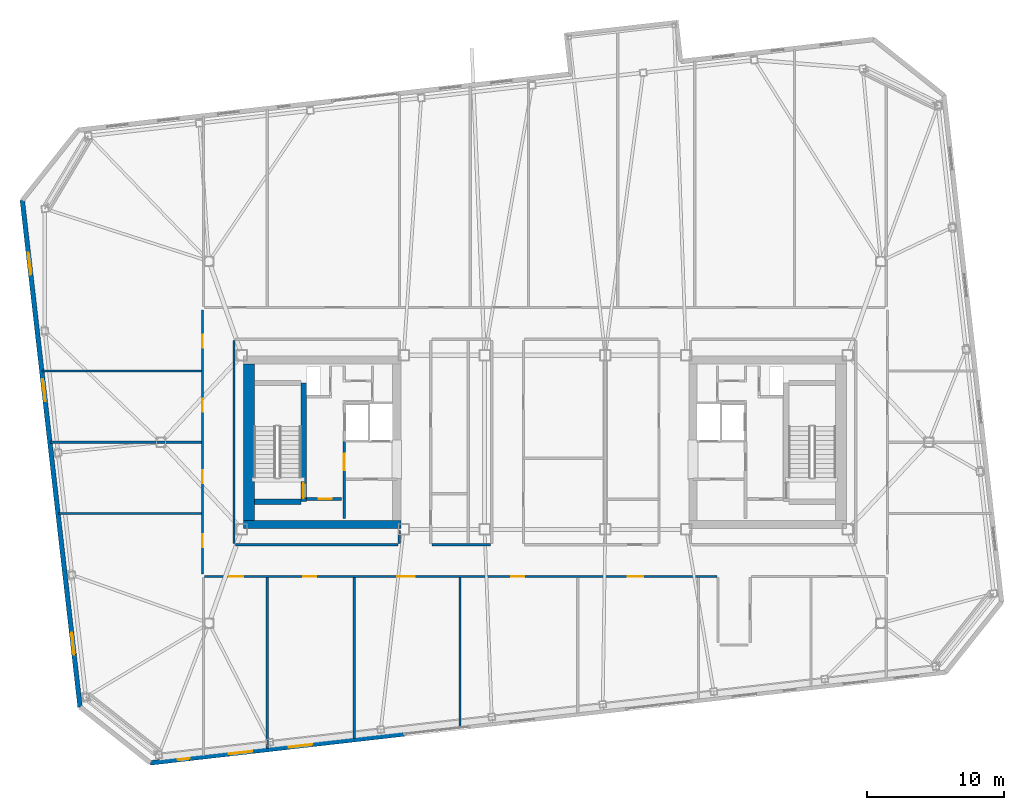
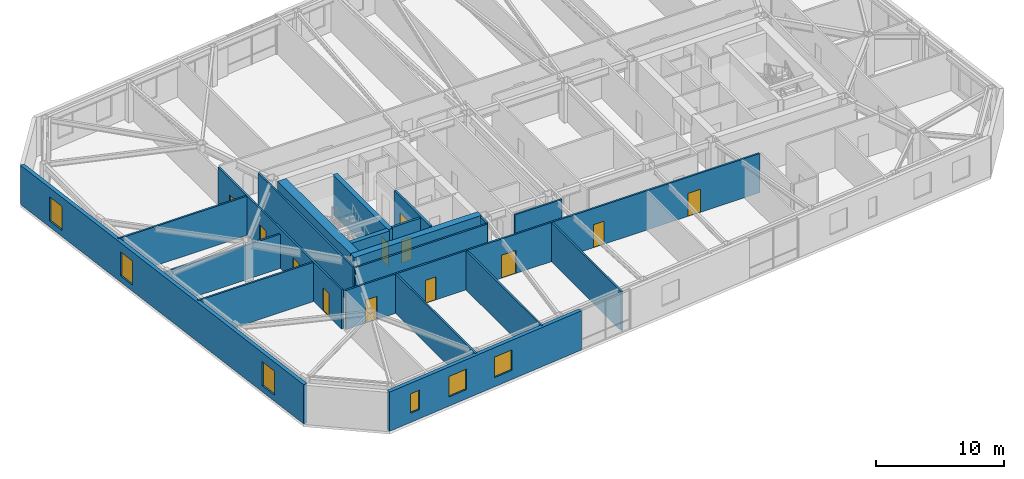
# One storey, part 14 of 21: 20 walls, 12 doors, 6 windows, 18 openings.
"""IFC4 building model written with IfcOpenShell, lengths in metres."""

from ifc_helpers import new_model, si_unit, direction, frame, frame_2d, origin, place, context, subcontext, project, spatial, rectangle, extrude, material, layer, layer_set, type_object, element, fill, save


model = new_model("IFC4")

# Units and contexts
model_context = context("Model", 3, precision=1e-05, world=origin(), true_north=direction((0.0, 1.0)))
body_context = subcontext(model_context, "Body", "Model", "MODEL_VIEW")
ifc_project = project(units=[si_unit("LENGTHUNIT", "METRE"), si_unit("AREAUNIT", "SQUARE_METRE"), si_unit("VOLUMEUNIT", "CUBIC_METRE"), si_unit("PLANEANGLEUNIT", "RADIAN"), si_unit("MASSUNIT", "GRAM", prefix="KILO")], contexts=[model_context])

# Site, building, storey
site_placement = place(None, origin())
site = spatial("IfcSite", under=ifc_project, at=site_placement, CompositionType="ELEMENT")
building_placement = place(site_placement, origin())
building = spatial("IfcBuilding", under=site, at=building_placement, Name="Tavrogorsk Clinical Tower", CompositionType="ELEMENT")
storey_placement = place(building_placement, frame((0.0, 0.0, 247.0)))
storey = spatial("IfcBuildingStorey", under=building, at=storey_placement, Name="L57", CompositionType="ELEMENT", Elevation=247.0)

# Wall, opening, door
ifc_material_1 = material(Name="Concrete B60", Category="concrete")
ifc_layer_1 = layer(ifc_material_1, 0.199951171875)
ifc_layer_set_1 = layer_set([ifc_layer_1], Name="Concrete B60")
wall_type_1 = type_object("IfcWallType", Name="CoreFireWall_200", PredefinedType="SOLIDWALL", material=ifc_layer_set_1)
wall_1_placement = place(storey_placement, frame((-17.3798828125, -4.139892578125, 0.0), z_axis=(0.0, 0.0, 1.0), x_axis=(1.0, 0.0, 0.0)))
wall_1 = element("IfcWall", 1, at=wall_1_placement, inside=storey, type_object=wall_type_1, Name="L57 Core West South Core Room Fire Wall", PredefinedType="SOLIDWALL", context=body_context, shape_type="SweptSolid", body=[
    extrude(rectangle(XDim=2.554931640625, YDim=0.199951171875, at=frame_2d((1.27734375, 0.0))), origin(), (0.0, 0.0, 1.0), 3.739990234375),
])
opening_1_placement = place(wall_1_placement, frame((0.8798828125, 0.0, 0.0)))
opening_1 = element("IfcOpeningElement", 2, at=opening_1_placement, cuts=wall_1, Name="Opening ID-02", PredefinedType="OPENING", context=body_context, shape_type="SweptSolid", body=[
    extrude(rectangle(XDim=0.949951171875, YDim=2.199951171875, at=frame_2d((0.47509765625, 1.10009765625))), frame((0.0, 0.10986328125, 0.0), z_axis=(0.0, -1.0, 0.0), x_axis=(1.0, 0.0, 0.0)), (0.0, 0.0, 1.0), 0.219970703125),
])
ifc_material_2 = material(Name="Laminated timber leaf on aluminium frame", Category="wood")
door_type_1 = type_object("IfcDoorType", Name="InteriorDoor_ID02_950", OperationType="NOTDEFINED", PredefinedType="DOOR", material=ifc_material_2)
door_1_placement = place(opening_1_placement, origin())
door_1 = element("IfcDoor", 3, at=door_1_placement, inside=storey, type_object=door_type_1, Name="L57 Core West South Core Room Door", OperationType="SINGLE_SWING_RIGHT", OverallHeight=2.199951171875, OverallWidth=0.949951171875, PredefinedType="DOOR", context=body_context, shape_type="SweptSolid", body=[
    extrude(rectangle(XDim=0.949951171875, YDim=2.199951171875, at=frame_2d((0.47509765625, 1.10009765625))), frame((0.0, 0.02490234375, 0.0), z_axis=(0.0, -1.0, 0.0), x_axis=(1.0, 0.0, 0.0)), (0.0, 0.0, 1.0), 0.050048828125),
])
fill(opening_1, door_1)

wall_2_placement = place(storey_placement, frame((-14.639892578125, -5.56005859375, 0.0), z_axis=(0.0, 0.0, 1.0), x_axis=(0.0, 1.0, 0.0)))
wall_2 = element("IfcWall", 4, at=wall_2_placement, inside=storey, type_object=wall_type_1, Name="L57 Core West Firefighting Lobby Fire Wall", PredefinedType="SOLIDWALL", context=body_context, shape_type="SweptSolid", body=[
    extrude(rectangle(XDim=5.60009765625, YDim=0.199951171875, at=frame_2d((2.800048828125, 0.0))), origin(), (0.0, 0.0, 1.0), 3.739990234375),
])
opening_2_placement = place(wall_2_placement, frame((3.510009765625, 0.0, 0.0)))
opening_2 = element("IfcOpeningElement", 5, at=opening_2_placement, cuts=wall_2, Name="Opening FD-01", PredefinedType="OPENING", context=body_context, shape_type="SweptSolid", body=[
    extrude(rectangle(XDim=1.199951171875, YDim=2.199951171875, at=frame_2d((0.60009765625, 1.10009765625))), frame((0.0, 0.10986328125, 0.0), z_axis=(0.0, -1.0, 0.0), x_axis=(1.0, 0.0, 0.0)), (0.0, 0.0, 1.0), 0.219970703125),
])
ifc_material_3 = material(Name="Galvanised steel fire-rated door assembly", Category="steel")
door_type_2 = type_object("IfcDoorType", Name="FireDoor_FD01_1200", OperationType="NOTDEFINED", PredefinedType="DOOR", material=ifc_material_3)
door_2_placement = place(opening_2_placement, origin())
door_2 = element("IfcDoor", 6, at=door_2_placement, inside=storey, type_object=door_type_2, Name="L57 Core West Firefighting Lobby Entry Door", OperationType="SINGLE_SWING_RIGHT", OverallHeight=2.199951171875, OverallWidth=1.199951171875, PredefinedType="DOOR", context=body_context, shape_type="SweptSolid", body=[
    extrude(rectangle(XDim=1.199951171875, YDim=2.199951171875, at=frame_2d((0.60009765625, 1.10009765625))), frame((0.0, 0.02490234375, 0.0), z_axis=(0.0, -1.0, 0.0), x_axis=(1.0, 0.0, 0.0)), (0.0, 0.0, 1.0), 0.050048828125),
])
fill(opening_2, door_2)

# Wall, openings, doors
ifc_material_4 = material(Name="Lightweight concrete blockwork B15", Category="masonry")
ifc_layer_2 = layer(ifc_material_4, 0.159912109375)
ifc_layer_set_2 = layer_set([ifc_layer_2], Name="Lightweight concrete blockwork B15")
wall_type_2 = type_object("IfcWallType", Name="PartitionWall_160", PredefinedType="PARTITIONING", material=ifc_layer_set_2)
wall_3_placement = place(storey_placement, frame((-24.97998046875, -9.614990234375, 0.0), z_axis=(0.0, 0.0, 1.0), x_axis=(0.0, 1.0, 0.0)))
wall_3 = element("IfcWall", 7, at=wall_3_placement, inside=storey, type_object=wall_type_2, Name="L57 Corridor Partition 01", PredefinedType="PARTITIONING", context=body_context, shape_type="SweptSolid", body=[
    extrude(rectangle(XDim=19.280029296875, YDim=0.159912109375, at=frame_2d((9.64013671875, 0.0))), origin(), (0.0, 0.0, 1.0), 3.739990234375),
])
opening_3_placement = place(wall_3_placement, frame((1.968994140625, 0.0, 0.0)))
opening_3 = element("IfcOpeningElement", 8, at=opening_3_placement, cuts=wall_3, Name="Opening ID-02", PredefinedType="OPENING", context=body_context, shape_type="SweptSolid", body=[
    extrude(rectangle(XDim=0.949951171875, YDim=2.199951171875, at=frame_2d((0.47509765625, 1.10009765625))), frame((0.0, 0.08984375, 0.0), z_axis=(0.0, -1.0, 0.0), x_axis=(1.0, 0.0, 0.0)), (0.0, 0.0, 1.0), 0.179931640625),
])
opening_4_placement = place(wall_3_placement, frame((6.625, 0.0, 0.0)))
opening_4 = element("IfcOpeningElement", 9, at=opening_4_placement, cuts=wall_3, Name="Opening ID-02", PredefinedType="OPENING", context=body_context, shape_type="SweptSolid", body=[
    extrude(rectangle(XDim=0.949951171875, YDim=2.199951171875, at=frame_2d((0.47509765625, 1.10009765625))), frame((0.0, 0.08984375, 0.0), z_axis=(0.0, -1.0, 0.0), x_axis=(1.0, 0.0, 0.0)), (0.0, 0.0, 1.0), 0.179931640625),
])
opening_5_placement = place(wall_3_placement, frame((11.824951171875, 0.0, 0.0)))
opening_5 = element("IfcOpeningElement", 10, at=opening_5_placement, cuts=wall_3, Name="Opening ID-02", PredefinedType="OPENING", context=body_context, shape_type="SweptSolid", body=[
    extrude(rectangle(XDim=0.949951171875, YDim=2.199951171875, at=frame_2d((0.47509765625, 1.10009765625))), frame((0.0, 0.08984375, 0.0), z_axis=(0.0, -1.0, 0.0), x_axis=(1.0, 0.0, 0.0)), (0.0, 0.0, 1.0), 0.179931640625),
])
opening_6_placement = place(wall_3_placement, frame((16.505859375, 0.0, 0.0)))
opening_6 = element("IfcOpeningElement", 11, at=opening_6_placement, cuts=wall_3, Name="Opening ID-02", PredefinedType="OPENING", context=body_context, shape_type="SweptSolid", body=[
    extrude(rectangle(XDim=0.949951171875, YDim=2.199951171875, at=frame_2d((0.47509765625, 1.10009765625))), frame((0.0, 0.08984375, 0.0), z_axis=(0.0, -1.0, 0.0), x_axis=(1.0, 0.0, 0.0)), (0.0, 0.0, 1.0), 0.179931640625),
])
door_3_placement = place(opening_3_placement, origin())
door_3 = element("IfcDoor", 12, at=door_3_placement, inside=storey, type_object=door_type_1, Name="L57 W Solarium Day Room & Lounge 1 Door", OperationType="SINGLE_SWING_RIGHT", OverallHeight=2.199951171875, OverallWidth=0.949951171875, PredefinedType="DOOR", context=body_context, shape_type="SweptSolid", body=[
    extrude(rectangle(XDim=0.949951171875, YDim=2.199951171875, at=frame_2d((0.47509765625, 1.10009765625))), frame((0.0, 0.02490234375, 0.0), z_axis=(0.0, -1.0, 0.0), x_axis=(1.0, 0.0, 0.0)), (0.0, 0.0, 1.0), 0.050048828125),
])
fill(opening_3, door_3)
door_4_placement = place(opening_4_placement, origin())
door_4 = element("IfcDoor", 13, at=door_4_placement, inside=storey, type_object=door_type_1, Name="L57 W Rehabilitation Therapy Suite 2 Door", OperationType="SINGLE_SWING_LEFT", OverallHeight=2.199951171875, OverallWidth=0.949951171875, PredefinedType="DOOR", context=body_context, shape_type="SweptSolid", body=[
    extrude(rectangle(XDim=0.949951171875, YDim=2.199951171875, at=frame_2d((0.47509765625, 1.10009765625))), frame((0.0, 0.02490234375, 0.0), z_axis=(0.0, -1.0, 0.0), x_axis=(1.0, 0.0, 0.0)), (0.0, 0.0, 1.0), 0.050048828125),
])
fill(opening_4, door_4)
door_5_placement = place(opening_5_placement, origin())
door_5 = element("IfcDoor", 14, at=door_5_placement, inside=storey, type_object=door_type_1, Name="L57 W Sub-Acute Observation Suite 3 Door", OperationType="SINGLE_SWING_RIGHT", OverallHeight=2.199951171875, OverallWidth=0.949951171875, PredefinedType="DOOR", context=body_context, shape_type="SweptSolid", body=[
    extrude(rectangle(XDim=0.949951171875, YDim=2.199951171875, at=frame_2d((0.47509765625, 1.10009765625))), frame((0.0, 0.02490234375, 0.0), z_axis=(0.0, -1.0, 0.0), x_axis=(1.0, 0.0, 0.0)), (0.0, 0.0, 1.0), 0.050048828125),
])
fill(opening_5, door_5)
door_6_placement = place(opening_6_placement, origin())
door_6 = element("IfcDoor", 15, at=door_6_placement, inside=storey, type_object=door_type_1, Name="L57 W Family Consultation Lounge 4 Door", OperationType="SINGLE_SWING_LEFT", OverallHeight=2.199951171875, OverallWidth=0.949951171875, PredefinedType="DOOR", context=body_context, shape_type="SweptSolid", body=[
    extrude(rectangle(XDim=0.949951171875, YDim=2.199951171875, at=frame_2d((0.47509765625, 1.10009765625))), frame((0.0, 0.02490234375, 0.0), z_axis=(0.0, -1.0, 0.0), x_axis=(1.0, 0.0, 0.0)), (0.0, 0.0, 1.0), 0.050048828125),
])
fill(opening_6, door_6)

wall_4_placement = place(storey_placement, frame((12.534912109375, -9.780029296875, 0.0), z_axis=(0.0, 0.0, 1.0), x_axis=(-1.0, 0.0, 0.0)))
wall_4 = element("IfcWall", 16, at=wall_4_placement, inside=storey, type_object=wall_type_2, Name="L57 Corridor Partition 08", PredefinedType="PARTITIONING", context=body_context, shape_type="SweptSolid", body=[
    extrude(rectangle(XDim=37.349853515625, YDim=0.159912109375, at=frame_2d((18.6748046875, 0.0))), origin(), (0.0, 0.0, 1.0), 3.739990234375),
])
opening_7_placement = place(wall_4_placement, frame((34.52587890625, 0.0, 0.0)))
opening_7 = element("IfcOpeningElement", 17, at=opening_7_placement, cuts=wall_4, Name="Opening ID-04", PredefinedType="OPENING", context=body_context, shape_type="SweptSolid", body=[
    extrude(rectangle(XDim=1.050048828125, YDim=2.199951171875, at=frame_2d((0.52490234375, 1.10009765625))), frame((0.0, 0.08984375, 0.0), z_axis=(0.0, -1.0, 0.0), x_axis=(1.0, 0.0, 0.0)), (0.0, 0.0, 1.0), 0.179931640625),
])
opening_8_placement = place(wall_4_placement, frame((29.219970703125, 0.0, 0.0)))
opening_8 = element("IfcOpeningElement", 18, at=opening_8_placement, cuts=wall_4, Name="Opening ID-02", PredefinedType="OPENING", context=body_context, shape_type="SweptSolid", body=[
    extrude(rectangle(XDim=0.949951171875, YDim=2.199951171875, at=frame_2d((0.47509765625, 1.10009765625))), frame((0.0, 0.08984375, 0.0), z_axis=(0.0, -1.0, 0.0), x_axis=(1.0, 0.0, 0.0)), (0.0, 0.0, 1.0), 0.179931640625),
])
opening_9_placement = place(wall_4_placement, frame((22.02001953125, 0.0, 0.0)))
opening_9 = element("IfcOpeningElement", 19, at=opening_9_placement, cuts=wall_4, Name="Opening ID-01", PredefinedType="OPENING", context=body_context, shape_type="SweptSolid", body=[
    extrude(rectangle(XDim=1.300048828125, YDim=2.199951171875, at=frame_2d((0.64990234375, 1.10009765625))), frame((0.0, 0.08984375, 0.0), z_axis=(0.0, -1.0, 0.0), x_axis=(1.0, 0.0, 0.0)), (0.0, 0.0, 1.0), 0.179931640625),
])
opening_10_placement = place(wall_4_placement, frame((14.044921875, 0.0, 0.0)))
opening_10 = element("IfcOpeningElement", 20, at=opening_10_placement, cuts=wall_4, Name="Opening ID-02", PredefinedType="OPENING", context=body_context, shape_type="SweptSolid", body=[
    extrude(rectangle(XDim=0.949951171875, YDim=2.199951171875, at=frame_2d((0.47509765625, 1.10009765625))), frame((0.0, 0.08984375, 0.0), z_axis=(0.0, -1.0, 0.0), x_axis=(1.0, 0.0, 0.0)), (0.0, 0.0, 1.0), 0.179931640625),
])
opening_11_placement = place(wall_4_placement, frame((5.344970703125, 0.0, 0.0)))
opening_11 = element("IfcOpeningElement", 21, at=opening_11_placement, cuts=wall_4, Name="Opening ID-06", PredefinedType="OPENING", context=body_context, shape_type="SweptSolid", body=[
    extrude(rectangle(XDim=1.14990234375, YDim=2.199951171875, at=frame_2d((0.574951171875, 1.10009765625))), frame((0.0, 0.08984375, 0.0), z_axis=(0.0, -1.0, 0.0), x_axis=(1.0, 0.0, 0.0)), (0.0, 0.0, 1.0), 0.179931640625),
])
ifc_material_5 = material(Name="Antibacterial HPL consultation door on aluminium frame", Category="aluminium")
door_type_3 = type_object("IfcDoorType", Name="ConsultDoor_ID04_1050", OperationType="NOTDEFINED", PredefinedType="DOOR", material=ifc_material_5)
door_7_placement = place(opening_7_placement, origin())
door_7 = element("IfcDoor", 22, at=door_7_placement, inside=storey, type_object=door_type_3, Name="L57 South Cardiology Diagnostics Room 01 Door", OperationType="SINGLE_SWING_LEFT", OverallHeight=2.199951171875, OverallWidth=1.050048828125, PredefinedType="DOOR", context=body_context, shape_type="SweptSolid", body=[
    extrude(rectangle(XDim=1.050048828125, YDim=2.199951171875, at=frame_2d((0.52490234375, 1.10009765625))), frame((0.0, 0.02490234375, 0.0), z_axis=(0.0, -1.0, 0.0), x_axis=(1.0, 0.0, 0.0)), (0.0, 0.0, 1.0), 0.050048828125),
])
fill(opening_7, door_7)
door_8_placement = place(opening_8_placement, origin())
door_8 = element("IfcDoor", 23, at=door_8_placement, inside=storey, type_object=door_type_1, Name="L57 South Attending Physician Office 02 Door", OperationType="SINGLE_SWING_RIGHT", OverallHeight=2.199951171875, OverallWidth=0.949951171875, PredefinedType="DOOR", context=body_context, shape_type="SweptSolid", body=[
    extrude(rectangle(XDim=0.949951171875, YDim=2.199951171875, at=frame_2d((0.47509765625, 1.10009765625))), frame((0.0, 0.02490234375, 0.0), z_axis=(0.0, -1.0, 0.0), x_axis=(1.0, 0.0, 0.0)), (0.0, 0.0, 1.0), 0.050048828125),
])
fill(opening_8, door_8)
door_9_placement = place(opening_10_placement, origin())
door_9 = element("IfcDoor", 24, at=door_9_placement, inside=storey, type_object=door_type_1, Name="L57 South Clean Medication & Prep Room 04 Door", OperationType="SINGLE_SWING_RIGHT", OverallHeight=2.199951171875, OverallWidth=0.949951171875, PredefinedType="DOOR", context=body_context, shape_type="SweptSolid", body=[
    extrude(rectangle(XDim=0.949951171875, YDim=2.199951171875, at=frame_2d((0.47509765625, 1.10009765625))), frame((0.0, 0.02490234375, 0.0), z_axis=(0.0, -1.0, 0.0), x_axis=(1.0, 0.0, 0.0)), (0.0, 0.0, 1.0), 0.050048828125),
])
fill(opening_10, door_9)
ifc_material_6 = material(Name="Antibacterial HPL procedure door on aluminium frame", Category="aluminium")
door_type_4 = type_object("IfcDoorType", Name="LabDoor_ID06_1150", OperationType="NOTDEFINED", PredefinedType="DOOR", material=ifc_material_6)
door_10_placement = place(opening_11_placement, origin())
door_10 = element("IfcDoor", 25, at=door_10_placement, inside=storey, type_object=door_type_4, Name="L57 South Outpatient Procedure Suite 05 Door", OperationType="SINGLE_SWING_LEFT", OverallHeight=2.199951171875, OverallWidth=1.14990234375, PredefinedType="DOOR", context=body_context, shape_type="SweptSolid", body=[
    extrude(rectangle(XDim=1.14990234375, YDim=2.199951171875, at=frame_2d((0.574951171875, 1.10009765625))), frame((0.0, 0.02490234375, 0.0), z_axis=(0.0, -1.0, 0.0), x_axis=(1.0, 0.0, 0.0)), (0.0, 0.0, 1.0), 0.050048828125),
])
fill(opening_11, door_10)
ifc_material_7 = material(Name="Antibacterial HPL medical leaf on aluminium frame", Category="aluminium")
door_type_5 = type_object("IfcDoorType", Name="WardBedDoor_ID01_1300", OperationType="NOTDEFINED", PredefinedType="DOOR", material=ifc_material_7)
door_11_placement = place(opening_9_placement, origin())
door_11 = element("IfcDoor", 26, at=door_11_placement, inside=storey, type_object=door_type_5, Name="L57 South Acute Medical Ward 03 Door", OperationType="SINGLE_SWING_LEFT", OverallHeight=2.199951171875, OverallWidth=1.300048828125, PredefinedType="DOOR", context=body_context, shape_type="SweptSolid", body=[
    extrude(rectangle(XDim=1.300048828125, YDim=2.199951171875, at=frame_2d((0.64990234375, 1.10009765625))), frame((0.0, 0.02490234375, 0.0), z_axis=(0.0, -1.0, 0.0), x_axis=(1.0, 0.0, 0.0)), (0.0, 0.0, 1.0), 0.050048828125),
])
fill(opening_9, door_11)

# Walls
wall_5_placement = place(storey_placement, frame((-8.235107421875, -7.469970703125, 0.0), z_axis=(0.0, 0.0, 1.0), x_axis=(1.0, 0.0, 0.0)))
element("IfcWall", 27, at=wall_5_placement, inside=storey, type_object=wall_type_2, Name="L57 Corridor Partition 21", PredefinedType="PARTITIONING", context=body_context, shape_type="SweptSolid", body=[
    extrude(rectangle(XDim=4.27001953125, YDim=0.159912109375, at=frame_2d((2.135009765625, 0.0))), origin(), (0.0, 0.0, 1.0), 3.739990234375),
])
wall_6_placement = place(storey_placement, frame((-10.6298828125, -7.385009765625, 0.0), z_axis=(0.0, 0.0, 1.0), x_axis=(0.0, 1.0, 0.0)))
element("IfcWall", 28, at=wall_6_placement, inside=storey, type_object=wall_type_2, Name="L57 Corridor Partition 22", PredefinedType="PARTITIONING", context=body_context, shape_type="SweptSolid", body=[
    extrude(rectangle(XDim=0.965087890625, YDim=0.159912109375, at=frame_2d((0.482421875, 0.0))), origin(), (0.0, 0.0, 1.0), 3.739990234375),
])
wall_7_placement = place(storey_placement, frame((-22.669921875, 7.43505859375, 0.0), z_axis=(0.0, 0.0, 1.0), x_axis=(0.0, -1.0, 0.0)))
element("IfcWall", 29, at=wall_7_placement, inside=storey, type_object=wall_type_2, Name="L57 Corridor Partition 25", PredefinedType="PARTITIONING", context=body_context, shape_type="SweptSolid", body=[
    extrude(rectangle(XDim=14.820068359375, YDim=0.159912109375, at=frame_2d((7.41015625, 0.0))), origin(), (0.0, 0.0, 1.0), 3.739990234375),
])
wall_8_placement = place(storey_placement, frame((-22.5849609375, -7.469970703125, 0.0), z_axis=(0.0, 0.0, 1.0), x_axis=(1.0, 0.0, 0.0)))
element("IfcWall", 30, at=wall_8_placement, inside=storey, type_object=wall_type_2, Name="L57 Corridor Partition 26", PredefinedType="PARTITIONING", context=body_context, shape_type="SweptSolid", body=[
    extrude(rectangle(XDim=11.869873046875, YDim=0.159912109375, at=frame_2d((5.93505859375, 0.0))), origin(), (0.0, 0.0, 1.0), 3.739990234375),
])
wall_9_placement = place(storey_placement, frame((-20.25, -22.343505859375, 0.0), z_axis=(0.0, 0.0, 1.0), x_axis=(0.0, 1.0, 0.0)))
element("IfcWall", 31, at=wall_9_placement, inside=storey, type_object=wall_type_2, Name="L57 South Room Partition 1", PredefinedType="PARTITIONING", context=body_context, shape_type="SweptSolid", body=[
    extrude(rectangle(XDim=12.478515625, YDim=0.159912109375, at=frame_2d((6.2392578125, 0.0))), origin(), (0.0, 0.0, 1.0), 3.739990234375),
])
wall_10_placement = place(storey_placement, frame((-13.89990234375, -21.6201171875, 0.0), z_axis=(0.0, 0.0, 1.0), x_axis=(0.0, 1.0, 0.0)))
element("IfcWall", 32, at=wall_10_placement, inside=storey, type_object=wall_type_2, Name="L57 South Room Partition 2", PredefinedType="PARTITIONING", context=body_context, shape_type="SweptSolid", body=[
    extrude(rectangle(XDim=11.755126953125, YDim=0.159912109375, at=frame_2d((5.87744140625, 0.0))), origin(), (0.0, 0.0, 1.0), 3.739990234375),
])
wall_11_placement = place(storey_placement, frame((-6.199951171875, -20.742919921875, 0.0), z_axis=(0.0, 0.0, 1.0), x_axis=(0.0, 1.0, 0.0)))
element("IfcWall", 33, at=wall_11_placement, inside=storey, type_object=wall_type_2, Name="L57 South Room Partition 3", PredefinedType="PARTITIONING", context=body_context, shape_type="SweptSolid", body=[
    extrude(rectangle(XDim=10.8779296875, YDim=0.159912109375, at=frame_2d((5.43896484375, 0.0))), origin(), (0.0, 0.0, 1.0), 3.739990234375),
])
wall_12_placement = place(storey_placement, frame((-35.494384765625, -5.199951171875, 0.0), z_axis=(0.0, 0.0, 1.0), x_axis=(1.0, 0.0, 0.0)))
element("IfcWall", 34, at=wall_12_placement, inside=storey, type_object=wall_type_2, Name="L57 W Wing Divider 1", PredefinedType="PARTITIONING", context=body_context, shape_type="SweptSolid", body=[
    extrude(rectangle(XDim=10.429443359375, YDim=0.159912109375, at=frame_2d((5.21484375, 0.0))), origin(), (0.0, 0.0, 1.0), 3.739990234375),
])
wall_13_placement = place(storey_placement, frame((-36.0869140625, 0.0, 0.0), z_axis=(0.0, 0.0, 1.0), x_axis=(1.0, 0.0, 0.0)))
element("IfcWall", 35, at=wall_13_placement, inside=storey, type_object=wall_type_2, Name="L57 W Wing Divider 2", PredefinedType="PARTITIONING", context=body_context, shape_type="SweptSolid", body=[
    extrude(rectangle(XDim=11.02197265625, YDim=0.159912109375, at=frame_2d((5.510986328125, 0.0))), origin(), (0.0, 0.0, 1.0), 3.284912109375),
])
wall_14_placement = place(storey_placement, frame((-36.679443359375, 5.199951171875, 0.0), z_axis=(0.0, 0.0, 1.0), x_axis=(1.0, 0.0, 0.0)))
element("IfcWall", 36, at=wall_14_placement, inside=storey, type_object=wall_type_2, Name="L57 W Wing Divider 3", PredefinedType="PARTITIONING", context=body_context, shape_type="SweptSolid", body=[
    extrude(rectangle(XDim=11.614501953125, YDim=0.159912109375, at=frame_2d((5.80712890625, 0.0))), origin(), (0.0, 0.0, 1.0), 3.739990234375),
])

# Wall, openings, windows
ifc_material_8 = material(Name="Precast concrete B45 with limestone cladding", Category="masonry")
ifc_layer_3 = layer(ifc_material_8, 0.340087890625)
ifc_layer_set_3 = layer_set([ifc_layer_3], Name="Precast concrete B45 with limestone cladding")
wall_type_3 = type_object("IfcWallType", Name="PrecastLimestoneWall_340", PredefinedType="STANDARD", material=ifc_layer_set_3)
wall_15_placement = place(storey_placement, frame((-28.78271484375, -23.38623046875, 0.0), z_axis=(0.0, 0.0, 1.0), x_axis=(0.993572271362, 0.113199565282, 0.0)))
wall_15 = element("IfcWall", 37, at=wall_15_placement, inside=storey, type_object=wall_type_3, Name="L57 S Limestone Facade Wall 1", PredefinedType="STANDARD", context=body_context, shape_type="SweptSolid", body=[
    extrude(rectangle(XDim=18.6513671875, YDim=0.340087890625, at=frame_2d((9.32568359375, 0.0))), origin(), (0.0, 0.0, 1.0), 3.739990234375),
])
opening_12_placement = place(wall_15_placement, frame((2.030029296875, 0.0, 0.8798828125)))
opening_12 = element("IfcOpeningElement", 38, at=opening_12_placement, cuts=wall_15, Name="Opening WN-06", PredefinedType="OPENING", context=body_context, shape_type="SweptSolid", body=[
    extrude(rectangle(XDim=0.85009765625, YDim=1.85009765625, at=frame_2d((0.425048828125, 0.925048828125))), frame((0.0, 0.179931640625, 0.0), z_axis=(0.0, -1.0, 0.0), x_axis=(1.0, 0.0, 0.0)), (0.0, 0.0, 1.0), 0.360107421875),
])
opening_13_placement = place(wall_15_placement, frame((5.778564453125, 0.0, 0.8798828125)))
opening_13 = element("IfcOpeningElement", 39, at=opening_13_placement, cuts=wall_15, Name="Opening WN-15", PredefinedType="OPENING", context=body_context, shape_type="SweptSolid", body=[
    extrude(rectangle(XDim=1.699951171875, YDim=1.949951171875, at=frame_2d((0.85009765625, 0.97509765625))), frame((0.0, 0.179931640625, 0.0), z_axis=(0.0, -1.0, 0.0), x_axis=(1.0, 0.0, 0.0)), (0.0, 0.0, 1.0), 0.360107421875),
])
opening_14_placement = place(wall_15_placement, frame((10.1787109375, 0.0, 0.8798828125)))
opening_14 = element("IfcOpeningElement", 40, at=opening_14_placement, cuts=wall_15, Name="Opening WN-15", PredefinedType="OPENING", context=body_context, shape_type="SweptSolid", body=[
    extrude(rectangle(XDim=1.699951171875, YDim=1.949951171875, at=frame_2d((0.85009765625, 0.97509765625))), frame((0.0, 0.179931640625, 0.0), z_axis=(0.0, -1.0, 0.0), x_axis=(1.0, 0.0, 0.0)), (0.0, 0.0, 1.0), 0.360107421875),
])
ifc_material_9 = material(Name="Thermally broken aluminium frame and triple IGU", Category="aluminium")
window_type_1 = type_object("IfcWindowType", Name="MullionSubWin_850x1850", PartitioningType="SINGLE_PANEL", PredefinedType="WINDOW", material=ifc_material_9)
window_1_placement = place(opening_12_placement, origin())
window_1 = element("IfcWindow", 41, at=window_1_placement, inside=storey, type_object=window_type_1, Name="L57 S Mullion Split Window 01A", OverallHeight=1.85009765625, OverallWidth=0.85009765625, PartitioningType="SINGLE_PANEL", PredefinedType="WINDOW", context=body_context, shape_type="SweptSolid", body=[
    extrude(rectangle(XDim=0.85009765625, YDim=1.85009765625, at=frame_2d((0.425048828125, 0.925048828125))), frame((0.0, 0.030029296875, 0.0), z_axis=(0.0, -1.0, 0.0), x_axis=(1.0, 0.0, 0.0)), (0.0, 0.0, 1.0), 0.06005859375),
])
fill(opening_12, window_1)
ifc_material_10 = material(Name="Thermally broken aluminium frame and triple IGU", Category="aluminium")
window_type_2 = type_object("IfcWindowType", Name="OfficeChicagoWin_1700x1950", PartitioningType="SINGLE_PANEL", PredefinedType="WINDOW", material=ifc_material_10)
window_2_placement = place(opening_13_placement, origin())
window_2 = element("IfcWindow", 42, at=window_2_placement, inside=storey, type_object=window_type_2, Name="L57 S Chicago Window 02", OverallHeight=1.949951171875, OverallWidth=1.699951171875, PartitioningType="SINGLE_PANEL", PredefinedType="WINDOW", context=body_context, shape_type="SweptSolid", body=[
    extrude(rectangle(XDim=1.699951171875, YDim=1.949951171875, at=frame_2d((0.85009765625, 0.97509765625))), frame((0.0, 0.030029296875, 0.0), z_axis=(0.0, -1.0, 0.0), x_axis=(1.0, 0.0, 0.0)), (0.0, 0.0, 1.0), 0.06005859375),
])
fill(opening_13, window_2)
window_3_placement = place(opening_14_placement, origin())
window_3 = element("IfcWindow", 43, at=window_3_placement, inside=storey, type_object=window_type_2, Name="L57 S Chicago Window 03", OverallHeight=1.949951171875, OverallWidth=1.699951171875, PartitioningType="SINGLE_PANEL", PredefinedType="WINDOW", context=body_context, shape_type="SweptSolid", body=[
    extrude(rectangle(XDim=1.699951171875, YDim=1.949951171875, at=frame_2d((0.85009765625, 0.97509765625))), frame((0.0, 0.030029296875, 0.0), z_axis=(0.0, -1.0, 0.0), x_axis=(1.0, 0.0, 0.0)), (0.0, 0.0, 1.0), 0.06005859375),
])
fill(opening_14, window_3)

wall_16_placement = place(storey_placement, frame((-38.1181640625, 17.65087890625, 0.0), z_axis=(0.0, 0.0, 1.0), x_axis=(0.11320360501, -0.9935718111, 0.0)))
wall_16 = element("IfcWall", 44, at=wall_16_placement, inside=storey, type_object=wall_type_3, Name="L57 W Pleated Limestone Wing Wall", PredefinedType="STANDARD", context=body_context, shape_type="SweptSolid", body=[
    extrude(rectangle(XDim=37.199951171875, YDim=0.340087890625, at=frame_2d((18.60009765625, 0.0))), origin(), (0.0, 0.0, 1.0), 3.739990234375),
])
opening_15_placement = place(wall_16_placement, frame((3.85009765625, 0.0, 0.580078125)))
opening_15 = element("IfcOpeningElement", 45, at=opening_15_placement, cuts=wall_16, Name="Opening WN-07", PredefinedType="OPENING", context=body_context, shape_type="SweptSolid", body=[
    extrude(rectangle(XDim=1.60009765625, YDim=2.300048828125, at=frame_2d((0.800048828125, 1.14990234375))), frame((0.0, 0.179931640625, 0.0), z_axis=(0.0, -1.0, 0.0), x_axis=(1.0, 0.0, 0.0)), (0.0, 0.0, 1.0), 0.360107421875),
])
opening_16_placement = place(wall_16_placement, frame((13.14990234375, 0.0, 0.580078125)))
opening_16 = element("IfcOpeningElement", 46, at=opening_16_placement, cuts=wall_16, Name="Opening WN-07", PredefinedType="OPENING", context=body_context, shape_type="SweptSolid", body=[
    extrude(rectangle(XDim=1.60009765625, YDim=2.300048828125, at=frame_2d((0.800048828125, 1.14990234375))), frame((0.0, 0.179931640625, 0.0), z_axis=(0.0, -1.0, 0.0), x_axis=(1.0, 0.0, 0.0)), (0.0, 0.0, 1.0), 0.360107421875),
])
opening_17_placement = place(wall_16_placement, frame((31.75, 0.0, 0.580078125)))
opening_17 = element("IfcOpeningElement", 47, at=opening_17_placement, cuts=wall_16, Name="Opening WN-07", PredefinedType="OPENING", context=body_context, shape_type="SweptSolid", body=[
    extrude(rectangle(XDim=1.60009765625, YDim=2.300048828125, at=frame_2d((0.800048828125, 1.14990234375))), frame((0.0, 0.179931640625, 0.0), z_axis=(0.0, -1.0, 0.0), x_axis=(1.0, 0.0, 0.0)), (0.0, 0.0, 1.0), 0.360107421875),
])
ifc_material_11 = material(Name="Thermally broken aluminium frame and triple IGU", Category="aluminium")
window_type_3 = type_object("IfcWindowType", Name="PleatSlotWin_1600x2300", PartitioningType="SINGLE_PANEL", PredefinedType="WINDOW", material=ifc_material_11)
window_4_placement = place(opening_15_placement, origin())
window_4 = element("IfcWindow", 48, at=window_4_placement, inside=storey, type_object=window_type_3, Name="L57 W Pleat Slot Window 1", OverallHeight=2.300048828125, OverallWidth=1.60009765625, PartitioningType="SINGLE_PANEL", PredefinedType="WINDOW", context=body_context, shape_type="SweptSolid", body=[
    extrude(rectangle(XDim=1.60009765625, YDim=2.300048828125, at=frame_2d((0.800048828125, 1.14990234375))), frame((0.0, 0.030029296875, 0.0), z_axis=(0.0, -1.0, 0.0), x_axis=(1.0, 0.0, 0.0)), (0.0, 0.0, 1.0), 0.06005859375),
])
fill(opening_15, window_4)
window_5_placement = place(opening_16_placement, origin())
window_5 = element("IfcWindow", 49, at=window_5_placement, inside=storey, type_object=window_type_3, Name="L57 W Pleat Slot Window 2", OverallHeight=2.300048828125, OverallWidth=1.60009765625, PartitioningType="SINGLE_PANEL", PredefinedType="WINDOW", context=body_context, shape_type="SweptSolid", body=[
    extrude(rectangle(XDim=1.60009765625, YDim=2.300048828125, at=frame_2d((0.800048828125, 1.14990234375))), frame((0.0, 0.030029296875, 0.0), z_axis=(0.0, -1.0, 0.0), x_axis=(1.0, 0.0, 0.0)), (0.0, 0.0, 1.0), 0.06005859375),
])
fill(opening_16, window_5)
window_6_placement = place(opening_17_placement, origin())
window_6 = element("IfcWindow", 50, at=window_6_placement, inside=storey, type_object=window_type_3, Name="L57 W Pleat Slot Window 4", OverallHeight=2.300048828125, OverallWidth=1.60009765625, PartitioningType="SINGLE_PANEL", PredefinedType="WINDOW", context=body_context, shape_type="SweptSolid", body=[
    extrude(rectangle(XDim=1.60009765625, YDim=2.300048828125, at=frame_2d((0.800048828125, 1.14990234375))), frame((0.0, 0.030029296875, 0.0), z_axis=(0.0, -1.0, 0.0), x_axis=(1.0, 0.0, 0.0)), (0.0, 0.0, 1.0), 0.06005859375),
])
fill(opening_17, window_6)

# Wall, opening, door
ifc_material_12 = material(Name="Concrete B80", Category="concrete")
ifc_layer_4 = layer(ifc_material_12, 0.39990234375)
ifc_layer_set_4 = layer_set([ifc_layer_4], Name="Concrete B80")
wall_type_4 = type_object("IfcWallType", Name="ShearWall_400", PredefinedType="SHEAR", material=ifc_layer_set_4)
wall_17_placement = place(storey_placement, frame((-17.60009765625, -4.324951171875, 0.0), z_axis=(0.0, 0.0, 1.0), x_axis=(0.0, 1.0, 0.0)))
wall_17 = element("IfcWall", 51, at=wall_17_placement, inside=storey, type_object=wall_type_4, Name="L57 Core West Stair Shaft Inner Shear Wall", PredefinedType="SHEAR", context=body_context, shape_type="SweptSolid", body=[
    extrude(rectangle(XDim=8.64990234375, YDim=0.39990234375, at=frame_2d((4.324951171875, 0.0))), origin(), (0.0, 0.0, 1.0), 3.739990234375),
])
opening_18_placement = place(wall_17_placement, frame((0.25, 0.0, 0.0)))
opening_18 = element("IfcOpeningElement", 52, at=opening_18_placement, cuts=wall_17, Name="Opening SD-01", PredefinedType="OPENING", context=body_context, shape_type="SweptSolid", body=[
    extrude(rectangle(XDim=1.10009765625, YDim=2.199951171875, at=frame_2d((0.550048828125, 1.10009765625))), frame((0.0, 0.2099609375, 0.0), z_axis=(0.0, -1.0, 0.0), x_axis=(1.0, 0.0, 0.0)), (0.0, 0.0, 1.0), 0.419921875),
])
ifc_material_13 = material(Name="Galvanised steel smoke-tight fire door assembly", Category="steel")
door_type_6 = type_object("IfcDoorType", Name="StairFireDoor_SD01_1100", OperationType="NOTDEFINED", PredefinedType="DOOR", material=ifc_material_13)
door_12_placement = place(opening_18_placement, origin())
door_12 = element("IfcDoor", 53, at=door_12_placement, inside=storey, type_object=door_type_6, Name="L57 ST-W Exit Stair Door", OperationType="SINGLE_SWING_RIGHT", OverallHeight=2.199951171875, OverallWidth=1.10009765625, PredefinedType="DOOR", context=body_context, shape_type="SweptSolid", body=[
    extrude(rectangle(XDim=1.10009765625, YDim=2.199951171875, at=frame_2d((0.550048828125, 1.10009765625))), frame((0.0, 0.02490234375, 0.0), z_axis=(0.0, -1.0, 0.0), x_axis=(1.0, 0.0, 0.0)), (0.0, 0.0, 1.0), 0.050048828125),
])
fill(opening_18, door_12)

# Walls
wall_18_placement = place(storey_placement, frame((-21.199951171875, -4.324951171875, 0.0), z_axis=(0.0, 0.0, 1.0), x_axis=(1.0, 0.0, 0.0)))
element("IfcWall", 54, at=wall_18_placement, inside=storey, type_object=wall_type_4, Name="L57 Core West Stair Shaft South Shear Wall", PredefinedType="SHEAR", context=body_context, shape_type="SweptSolid", body=[
    extrude(rectangle(XDim=3.39990234375, YDim=0.39990234375, at=frame_2d((1.699951171875, 0.0))), origin(), (0.0, 0.0, 1.0), 3.739990234375),
])
ifc_material_14 = material(Name="Concrete B80", Category="concrete")
ifc_layer_5 = layer(ifc_material_14, 0.60009765625)
ifc_layer_set_5 = layer_set([ifc_layer_5], Name="Concrete B80")
wall_type_5 = type_object("IfcWallType", Name="ShearWall_600", PredefinedType="SHEAR", material=ifc_layer_set_5)
wall_19_placement = place(storey_placement, frame((-22.0, -6.0, 0.0), z_axis=(0.0, 0.0, 1.0), x_axis=(1.0, 0.0, 0.0)))
element("IfcWall", 55, at=wall_19_placement, inside=storey, type_object=wall_type_5, Name="L57 Core West South Shear Wall", PredefinedType="SHEAR", context=body_context, shape_type="SweptSolid", body=[
    extrude(rectangle(XDim=11.5, YDim=0.60009765625, at=frame_2d((5.75, 0.0))), origin(), (0.0, 0.0, 1.0), 3.739990234375),
])
ifc_material_15 = material(Name="Concrete B80", Category="concrete")
ifc_layer_6 = layer(ifc_material_15, 0.800048828125)
ifc_layer_set_6 = layer_set([ifc_layer_6], Name="Concrete B80")
wall_type_6 = type_object("IfcWallType", Name="ShearWall_800", PredefinedType="SHEAR", material=ifc_layer_set_6)
wall_20_placement = place(storey_placement, frame((-21.60009765625, -5.699951171875, 0.0), z_axis=(0.0, 0.0, 1.0), x_axis=(0.0, 1.0, 0.0)))
element("IfcWall", 56, at=wall_20_placement, inside=storey, type_object=wall_type_6, Name="L57 Core West End Shear Wall", PredefinedType="SHEAR", context=body_context, shape_type="SweptSolid", body=[
    extrude(rectangle(XDim=11.39990234375, YDim=0.800048828125, at=frame_2d((5.699951171875, 0.0))), origin(), (0.0, 0.0, 1.0), 3.739990234375),
])

save(model, "model.ifc")
